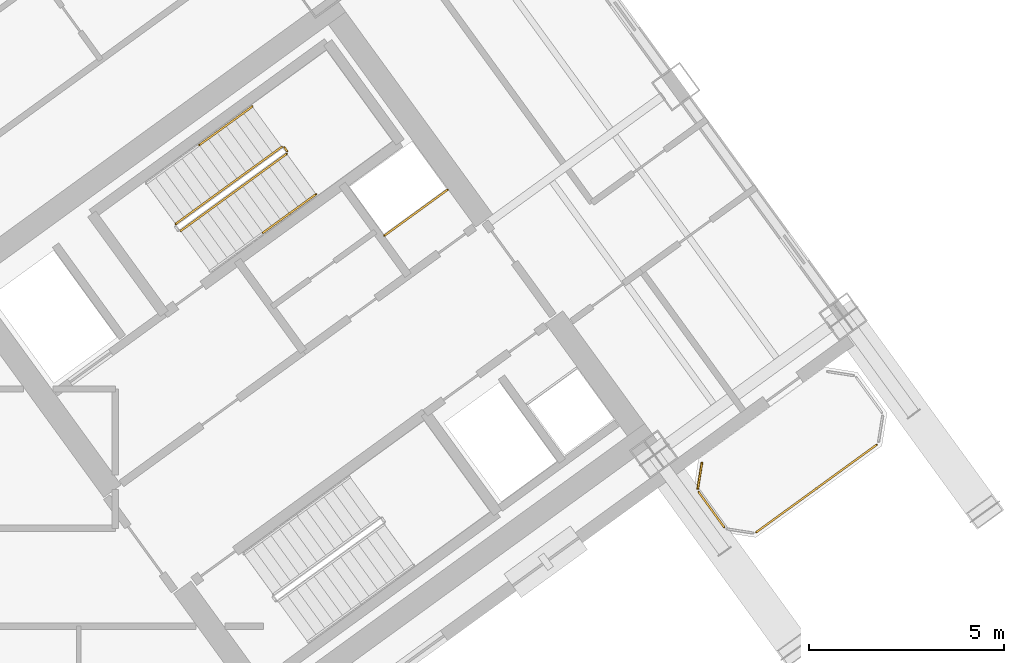
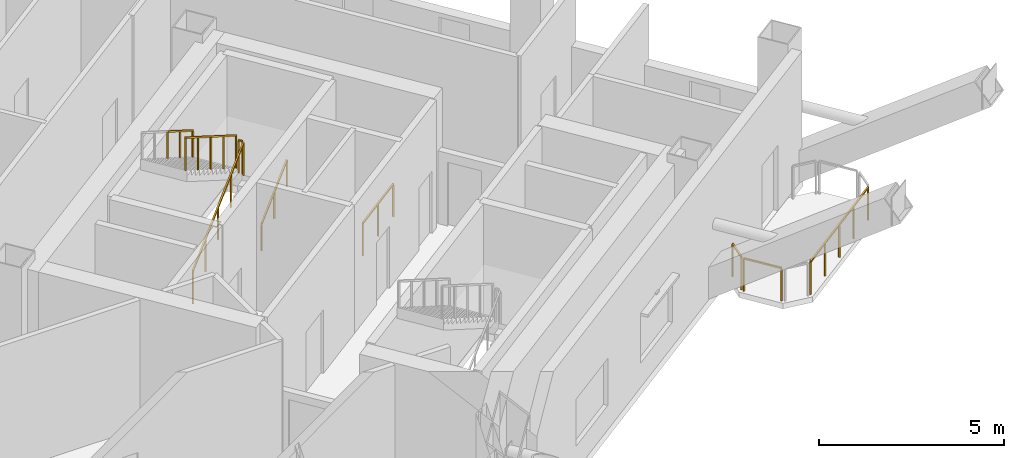
# One storey, part 31 of 32: 9 railings.
"""IFC4 building model written with IfcOpenShell, lengths in metres."""

import ifcopenshell
import ifcopenshell.guid

model = None  # the IFC model being written
_history = None  # IfcOwnerHistory: only IFC2X3 demands one
_inside = {}  # id of a spatial element -> (the spatial element, [elements in it])
_under = {}  # id of a project, library or spatial element -> (it, [spatial elements below it])
_declared = {}  # id of a project -> (the project, [libraries it declares])
_typed = {}  # id of a type object -> (the type object, [elements of that type])
_made_of = {}  # id of a material, layer set ... -> (it, [elements and type objects made of it])


def new_model(schema):
    """Start an empty IFC model of exactly this schema.

    Asked for "IFC4X3", IfcOpenShell would pick the latest addendum, in which some entities
    have other attributes; the version numbers below select the first issue.
    IFC2X3 requires an IfcOwnerHistory on every rooted entity: one is made here for all.
    """
    global model, _history
    if schema == "IFC4X3":
        model = ifcopenshell.file(schema_version=(4, 3, 0, 0))
    else:
        model = ifcopenshell.file(schema=schema)
    _inside.clear()
    _under.clear()
    _declared.clear()
    _typed.clear()
    _made_of.clear()
    _history = None
    if model.schema == "IFC2X3":
        org = make("IfcOrganization", Name="unknown")
        user = make(
            "IfcPersonAndOrganization",
            ThePerson=make("IfcPerson", FamilyName="unknown"),
            TheOrganization=org,
        )
        app = make(
            "IfcApplication",
            ApplicationDeveloper=org,
            Version="unknown",
            ApplicationFullName="unknown",
            ApplicationIdentifier="unknown",
        )
        _history = make(
            "IfcOwnerHistory",
            OwningUser=user,
            OwningApplication=app,
            ChangeAction="ADDED",
            CreationDate=0,
        )
    return model


def make(cls, **values):
    """One entity of the class cls with the attributes given. An attribute that is None is left unset."""
    return model.create_entity(
        cls, **{name: value for name, value in values.items() if value is not None}
    )


def rooted(cls, **values):
    """An entity with a GlobalId (a new one), such as an element, a storey or a relation."""
    return make(cls, GlobalId=ifcopenshell.guid.new(), OwnerHistory=_history, **values)


def si_unit(unit_type, name, prefix=None):
    """IfcSIUnit, for example si_unit("LENGTHUNIT", "METRE", prefix="MILLI")."""
    return make("IfcSIUnit", UnitType=unit_type, Prefix=prefix, Name=name)


def assignment(units):
    """IfcUnitAssignment: the units of a project."""
    return None if units is None else make("IfcUnitAssignment", Units=units)


def point(xyz):
    """IfcCartesianPoint."""
    return None if xyz is None else make("IfcCartesianPoint", Coordinates=xyz)


def direction(xyz):
    """IfcDirection."""
    return None if xyz is None else make("IfcDirection", DirectionRatios=xyz)


def frame(location, z_axis=None, x_axis=None):
    """IfcAxis2Placement3D, a coordinate frame: its origin and axes. An axis left out is left unset."""
    return make(
        "IfcAxis2Placement3D",
        Location=point(location),
        Axis=direction(z_axis),
        RefDirection=direction(x_axis),
    )


def frame_2d(location, x_axis=None):
    """IfcAxis2Placement2D, a coordinate frame in the plane: its origin and x axis."""
    return make(
        "IfcAxis2Placement2D", Location=point(location), RefDirection=direction(x_axis)
    )


def origin():
    """The frame at (0, 0, 0) with its axes left unset."""
    return frame((0.0, 0.0, 0.0))


def origin_2d():
    """The frame at (0, 0) in the plane with its x axis left unset."""
    return frame_2d((0.0, 0.0))


def place(relative_to, where):
    """IfcLocalPlacement: puts the frame where relative to a parent placement (None: the world)."""
    return make(
        "IfcLocalPlacement", PlacementRelTo=relative_to, RelativePlacement=where
    )


def context(
    kind, dimensions, precision=None, world=None, true_north=None, identifier=None
):
    """IfcGeometricRepresentationContext, for example the 3D "Model" context."""
    return make(
        "IfcGeometricRepresentationContext",
        ContextIdentifier=identifier,
        ContextType=kind,
        CoordinateSpaceDimension=dimensions,
        Precision=precision,
        WorldCoordinateSystem=world,
        TrueNorth=true_north,
    )


def subcontext(parent, identifier, kind, view, scale=None):
    """IfcGeometricRepresentationSubContext, for example "Body" below "Model"."""
    return make(
        "IfcGeometricRepresentationSubContext",
        ContextIdentifier=identifier,
        ContextType=kind,
        ParentContext=parent,
        TargetScale=scale,
        TargetView=view,
    )


def project(units=None, contexts=None):
    """IfcProject with its units and contexts."""
    return rooted(
        "IfcProject",
        Name="project",
        RepresentationContexts=contexts,
        UnitsInContext=assignment(units),
    )


def spatial(cls, under=None, at=None, **own):
    """A site, building, storey or space (cls), placed at a placement, below another one or the project."""
    s = rooted(cls, ObjectPlacement=at, **own)
    if under is not None:
        _under.setdefault(under.id(), (under, []))[1].append(s)
    return s


def profile(cls, at=None, kind="AREA", **sizes):
    """A parametric profile (cls). Its sizes go by their IFC names, for example OverallWidth=200.0."""
    return make(cls, ProfileType=kind, Position=at, **sizes)


def rectangle(**sizes):
    """IfcRectangleProfileDef."""
    return profile("IfcRectangleProfileDef", **sizes)


def extrude(swept, where, along, depth):
    """IfcExtrudedAreaSolid: the profile swept, set in the frame where, extruded along a direction by depth."""
    return make(
        "IfcExtrudedAreaSolid",
        SweptArea=swept,
        Position=where,
        ExtrudedDirection=direction(along),
        Depth=depth,
    )


def shape(context_of_items, identifier, shape_type, items):
    """IfcShapeRepresentation: the items that make up one representation, for example the "Body"."""
    return make(
        "IfcShapeRepresentation",
        ContextOfItems=context_of_items,
        RepresentationIdentifier=identifier,
        RepresentationType=shape_type,
        Items=items,
    )


def source(mapping_origin, context_of_items, identifier, shape_type, items):
    """IfcRepresentationMap: a shape defined once, which mapped items show again and again."""
    return make(
        "IfcRepresentationMap",
        MappingOrigin=mapping_origin,
        MappedRepresentation=shape(context_of_items, identifier, shape_type, items),
    )


def transform(
    local_origin,
    x_axis=None,
    y_axis=None,
    z_axis=None,
    scale=None,
    scale2=None,
    scale3=None,
    uniform=True,
):
    """IfcCartesianTransformationOperator3D, or its non-uniform kind. x_axis, y_axis, z_axis: its Axis1, 2, 3."""
    if uniform:
        return make(
            "IfcCartesianTransformationOperator3D",
            Axis1=direction(x_axis),
            Axis2=direction(y_axis),
            LocalOrigin=point(local_origin),
            Scale=scale,
            Axis3=direction(z_axis),
        )
    return make(
        "IfcCartesianTransformationOperator3DnonUniform",
        Axis1=direction(x_axis),
        Axis2=direction(y_axis),
        LocalOrigin=point(local_origin),
        Scale=scale,
        Axis3=direction(z_axis),
        Scale2=scale2,
        Scale3=scale3,
    )


def mapped(mapping_source, mapping_target):
    """IfcMappedItem: shows the shape of a source again, moved by a transform."""
    return make(
        "IfcMappedItem", MappingSource=mapping_source, MappingTarget=mapping_target
    )


def material(Name=None, Category=None):
    """IfcMaterial."""
    return make("IfcMaterial", Name=Name, Category=Category)


def made_of(thing, what):
    """Note that an element or type object is made of a material, layer set ...; save() writes the relation."""
    if what is not None:
        _made_of.setdefault(what.id(), (what, []))[1].append(thing)
    return thing


def type_object(cls, material=None, **own):
    """A type object (cls), such as IfcWallType, which elements share."""
    return made_of(rooted(cls, **own), material)


def element(
    cls,
    number,
    at=None,
    inside=None,
    cuts=None,
    type_object=None,
    material=None,
    context=None,
    identifier="Body",
    shape_type=None,
    held_by="IfcProductDefinitionShape",
    body=None,
    shapes=None,
    **own,
):
    """One element of the class cls, such as IfcWall. Its Tag is "e" and its number.

    at: its placement. inside: the storey or other place that contains it. cuts: it is an
    opening in that element (IfcRelVoidsElement). A single representation is given by context,
    identifier, shape_type and body (its items); several are given by shapes. held_by: the class
    of the entity that holds the representations. save() writes the other relations.
    """
    e = rooted(cls, Tag="e%d" % number, ObjectPlacement=at, **own)
    if body is not None:
        shapes = [shape(context, identifier, shape_type, body)]
    if shapes is not None:
        e.Representation = make(held_by, Representations=shapes)
    if inside is not None:
        _inside.setdefault(inside.id(), (inside, []))[1].append(e)
    if cuts is not None:
        rooted(
            "IfcRelVoidsElement", RelatingBuildingElement=cuts, RelatedOpeningElement=e
        )
    if type_object is not None:
        _typed.setdefault(type_object.id(), (type_object, []))[1].append(e)
    return made_of(e, material)


def aggregate(whole, parts):
    """IfcRelAggregates: a whole, such as a stair, and the parts it consists of."""
    return rooted("IfcRelAggregates", RelatingObject=whole, RelatedObjects=parts)


def save(model, path):
    """Write the relations noted so far, then the file.

    IfcRelAggregates (storeys below a building ...), IfcRelContainedInSpatialStructure (elements
    in a storey), IfcRelDefinesByType, IfcRelAssociatesMaterial and IfcRelDeclares: one each for
    every whole, place, type object, material and project.
    """
    for whole, parts in _under.values():
        aggregate(whole, parts)
    for where, things in _inside.values():
        rooted(
            "IfcRelContainedInSpatialStructure",
            RelatedElements=things,
            RelatingStructure=where,
        )
    for kind, things in _typed.values():
        rooted("IfcRelDefinesByType", RelatedObjects=things, RelatingType=kind)
    for what, things in _made_of.values():
        rooted("IfcRelAssociatesMaterial", RelatedObjects=things, RelatingMaterial=what)
    for by, libraries in _declared.values():
        rooted("IfcRelDeclares", RelatingContext=by, RelatedDefinitions=libraries)
    model.write(path)


model = new_model("IFC4")

# Units and contexts
model_context = context("Model", 3, precision=1e-05, world=origin(), true_north=direction((0.0, 1.0)))
body_context = subcontext(model_context, "Body", "Model", "MODEL_VIEW")
ifc_project = project(units=[si_unit("LENGTHUNIT", "METRE"), si_unit("AREAUNIT", "SQUARE_METRE"), si_unit("VOLUMEUNIT", "CUBIC_METRE"), si_unit("PLANEANGLEUNIT", "RADIAN"), si_unit("MASSUNIT", "GRAM", prefix="KILO")], contexts=[model_context])

# Site, building, storey
site_placement = place(None, origin())
site = spatial("IfcSite", under=ifc_project, at=site_placement, CompositionType="ELEMENT")
building_placement = place(site_placement, origin())
building = spatial("IfcBuilding", under=site, at=building_placement, Name="Tlacorven Tower", CompositionType="ELEMENT")
storey_placement = place(building_placement, frame((0.0, 0.0, 123.300048828125)))
storey = spatial("IfcBuildingStorey", under=building, at=storey_placement, Name="L31", CompositionType="ELEMENT", Elevation=123.300048828125)

# Railings
ifc_material = material(Name="Aluminium and painted steel balustrade", Category="steel")
railing_type_1 = type_object("IfcRailingType", Name="RL-GRD-1100", PredefinedType="GUARDRAIL", material=ifc_material)
shared_shape_1 = source(origin(), body_context, "Body", "SweptSolid", [
    extrude(rectangle(XDim=0.048095703125, YDim=0.048095703125, at=origin_2d()), frame((0.0, 0.0, 1.076171875), z_axis=(0.808947177504, 0.587881334972, 0.0), x_axis=(-0.587881334972, 0.808947177504, 0.0)), (0.0, 0.0, 1.0), 2.0),
    extrude(rectangle(XDim=0.0419921875, YDim=0.0419921875, at=origin_2d()), origin(), (0.0, 0.0, 1.0), 1.052001953125),
    extrude(rectangle(XDim=0.0419921875, YDim=0.0419921875, at=origin_2d()), frame((0.80908203125, 0.587890625, 0.0)), (0.0, 0.0, 1.0), 1.052001953125),
    extrude(rectangle(XDim=0.0419921875, YDim=0.0419921875, at=origin_2d()), frame((1.617919921875, 1.17578125, 0.0)), (0.0, 0.0, 1.0), 1.052001953125),
])
railing_1_placement = place(storey_placement, frame((55.506103515625, 25.438232421875, 0.0)))
element("IfcRailing", 1, at=railing_1_placement, inside=storey, type_object=railing_type_1, Name="L31 Electrical Riser E Shaft Guard 1", PredefinedType="GUARDRAIL", context=body_context, shape_type="MappedRepresentation", body=[
    mapped(shared_shape_1, transform((0.0, 0.0, 0.0), scale=1.0)),
])
railing_type_2 = type_object("IfcRailingType", Name="RL-BAL-1100", PredefinedType="BALUSTRADE", material=ifc_material)
shared_shape_2 = source(origin(), body_context, "Body", "SweptSolid", [
    extrude(rectangle(XDim=0.048095703125, YDim=0.048095703125, at=origin_2d()), frame((0.0, 0.0, 1.076171875), z_axis=(0.156602868908, 0.987661653326, 0.0), x_axis=(-0.987661653326, 0.156602868908, 0.0)), (0.0, 0.0, 1.0), 0.665771484375),
    extrude(rectangle(XDim=0.0419921875, YDim=0.0419921875, at=origin_2d()), origin(), (0.0, 0.0, 1.0), 1.052001953125),
    extrude(rectangle(XDim=0.0419921875, YDim=0.0419921875, at=origin_2d()), frame((0.104248046875, 0.657470703125, 0.0)), (0.0, 0.0, 1.0), 1.052001953125),
])
railing_2_placement = place(storey_placement, frame((63.539306640625, 18.949951171875, 0.0)))
element("IfcRailing", 2, at=railing_2_placement, inside=storey, type_object=railing_type_2, Name="BAL-L31-E-OUT Guard Railing 3", PredefinedType="BALUSTRADE", context=body_context, shape_type="MappedRepresentation", body=[
    mapped(shared_shape_2, transform((0.0, 0.0, 0.0), scale=1.0)),
])
shared_shape_3 = source(origin(), body_context, "Body", "SweptSolid", [
    extrude(rectangle(XDim=0.048095703125, YDim=0.048095703125, at=origin_2d()), frame((0.0, 0.0, 1.076171875), z_axis=(-0.809018102573, -0.587783726986, 0.0), x_axis=(0.587783726986, -0.809018102573, 0.0)), (0.0, 0.0, 1.0), 3.817138671875),
    extrude(rectangle(XDim=0.0419921875, YDim=0.0419921875, at=origin_2d()), origin(), (0.0, 0.0, 1.0), 1.052001953125),
    extrude(rectangle(XDim=0.0419921875, YDim=0.0419921875, at=origin_2d()), frame((-0.77197265625, -0.56103515625, 0.0)), (0.0, 0.0, 1.0), 1.052001953125),
    extrude(rectangle(XDim=0.0419921875, YDim=0.0419921875, at=origin_2d()), frame((-1.5439453125, -1.121826171875, 0.0)), (0.0, 0.0, 1.0), 1.052001953125),
    extrude(rectangle(XDim=0.0419921875, YDim=0.0419921875, at=origin_2d()), frame((-2.316162109375, -1.6826171875, 0.0)), (0.0, 0.0, 1.0), 1.052001953125),
    extrude(rectangle(XDim=0.0419921875, YDim=0.0419921875, at=origin_2d()), frame((-3.088134765625, -2.24365234375, 0.0)), (0.0, 0.0, 1.0), 1.052001953125),
])
railing_3_placement = place(storey_placement, frame((68.12890625, 20.0732421875, 0.0)))
element("IfcRailing", 3, at=railing_3_placement, inside=storey, type_object=railing_type_2, Name="BAL-L31-E-OUT Guard Railing 7", PredefinedType="BALUSTRADE", context=body_context, shape_type="MappedRepresentation", body=[
    mapped(shared_shape_3, transform((0.0, 0.0, 0.0), scale=1.0)),
])
shared_shape_4 = source(origin(), body_context, "Body", "SweptSolid", [
    extrude(rectangle(XDim=0.048095703125, YDim=0.048095703125, at=origin_2d()), frame((0.0, 0.0, 1.076171875), z_axis=(-0.587740817519, 0.809049276263, 0.0), x_axis=(-0.809049276263, -0.587740817519, 0.0)), (0.0, 0.0, 1.0), 1.112060546875),
    extrude(rectangle(XDim=0.0419921875, YDim=0.0419921875, at=origin_2d()), origin(), (0.0, 0.0, 1.0), 1.052001953125),
    extrude(rectangle(XDim=0.0419921875, YDim=0.0419921875, at=origin_2d()), frame((-0.653564453125, 0.899658203125, 0.0)), (0.0, 0.0, 1.0), 1.052001953125),
])
railing_4_placement = place(storey_placement, frame((64.214599609375, 17.96044921875, 0.0)))
element("IfcRailing", 4, at=railing_4_placement, inside=storey, type_object=railing_type_2, Name="BAL-L31-E-OUT Guard Railing 2", PredefinedType="BALUSTRADE", context=body_context, shape_type="MappedRepresentation", body=[
    mapped(shared_shape_4, transform((0.0, 0.0, 0.0), scale=1.0)),
])
shared_shape_5 = source(origin(), body_context, "Body", "SweptSolid", [
    extrude(rectangle(XDim=0.048095703125, YDim=0.048095703125, at=origin_2d()), frame((0.0, 0.0, 1.076171875), z_axis=(-0.587567097037, 0.809175448515, 0.0), x_axis=(-0.809175448515, -0.587567097037, 0.0)), (0.0, 0.0, 1.0), 0.1201171875),
    extrude(rectangle(XDim=0.0419921875, YDim=0.0419921875, at=origin_2d()), origin(), (0.0, 0.0, 1.0), 1.052001953125),
    extrude(rectangle(XDim=0.0419921875, YDim=0.0419921875, at=origin_2d()), frame((-0.070556640625, 0.09716796875, 0.0)), (0.0, 0.0, 1.0), 1.052001953125),
])
railing_5_placement = place(storey_placement, frame((53.006591796875, 27.6025390625, 2.25)))
element("IfcRailing", 5, at=railing_5_placement, inside=storey, type_object=railing_type_1, Name="L31 ST-E1 stair guard 2", PredefinedType="GUARDRAIL", context=body_context, shape_type="MappedRepresentation", body=[
    mapped(shared_shape_5, transform((0.0, 0.0, 0.0), scale=1.0)),
])
shared_shape_6 = source(origin(), body_context, "Body", "SweptSolid", [
    extrude(rectangle(XDim=0.048095703125, YDim=0.048095703125, at=origin_2d()), frame((0.0, 0.0, 1.076171875), z_axis=(0.688166980386, 0.499962520599, 0.525798141023), x_axis=(-0.587769819143, 0.809028206989, 0.0)), (0.0, 0.0, 1.0), 3.949951171875),
    extrude(rectangle(XDim=0.0419921875, YDim=0.0419921875, at=origin_2d()), origin(), (0.0, 0.0, 1.0), 1.052001953125),
    extrude(rectangle(XDim=0.0419921875, YDim=0.0419921875, at=origin_2d()), frame((0.6796875, 0.49365234375, 0.519287109375)), (0.0, 0.0, 1.0), 1.052001953125),
    extrude(rectangle(XDim=0.0419921875, YDim=0.0419921875, at=origin_2d()), frame((1.359130859375, 0.9873046875, 1.03857421875)), (0.0, 0.0, 1.0), 1.052001953125),
    extrude(rectangle(XDim=0.0419921875, YDim=0.0419921875, at=origin_2d()), frame((2.03857421875, 1.481201171875, 1.5576171875)), (0.0, 0.0, 1.0), 1.052001953125),
    extrude(rectangle(XDim=0.0419921875, YDim=0.0419921875, at=origin_2d()), frame((2.71826171875, 1.974853515625, 2.076904296875)), (0.0, 0.0, 1.0), 1.052001953125),
])
railing_6_placement = place(storey_placement, frame((50.27734375, 25.557861328125, 0.173095703125)))
element("IfcRailing", 6, at=railing_6_placement, inside=storey, type_object=railing_type_1, Name="L31 ST-E1 stair guard 1", PredefinedType="GUARDRAIL", context=body_context, shape_type="MappedRepresentation", body=[
    mapped(shared_shape_6, transform((0.0, 0.0, 0.0), scale=1.0)),
])
shared_shape_7 = source(origin(), body_context, "Body", "SweptSolid", [
    extrude(rectangle(XDim=0.048095703125, YDim=0.048095703125, at=origin_2d()), frame((0.0, 0.0, 1.076171875), z_axis=(-0.688166980386, -0.499962520599, 0.525798141023), x_axis=(0.587769819143, -0.809028206989, 0.0)), (0.0, 0.0, 1.0), 3.949951171875),
    extrude(rectangle(XDim=0.0419921875, YDim=0.0419921875, at=origin_2d()), origin(), (0.0, 0.0, 1.0), 1.052001953125),
    extrude(rectangle(XDim=0.0419921875, YDim=0.0419921875, at=origin_2d()), frame((-0.6796875, -0.49365234375, 0.519287109375)), (0.0, 0.0, 1.0), 1.052001953125),
    extrude(rectangle(XDim=0.0419921875, YDim=0.0419921875, at=origin_2d()), frame((-1.359130859375, -0.9873046875, 1.03857421875)), (0.0, 0.0, 1.0), 1.052001953125),
    extrude(rectangle(XDim=0.0419921875, YDim=0.0419921875, at=origin_2d()), frame((-2.03857421875, -1.481201171875, 1.5576171875)), (0.0, 0.0, 1.0), 1.052001953125),
    extrude(rectangle(XDim=0.0419921875, YDim=0.0419921875, at=origin_2d()), frame((-2.71826171875, -1.974853515625, 2.076904296875)), (0.0, 0.0, 1.0), 1.052001953125),
])
railing_7_placement = place(storey_placement, frame((52.8662109375, 27.710693359375, 2.423095703125)))
element("IfcRailing", 7, at=railing_7_placement, inside=storey, type_object=railing_type_1, Name="L31 ST-E1 stair guard 3", PredefinedType="GUARDRAIL", context=body_context, shape_type="MappedRepresentation", body=[
    mapped(shared_shape_7, transform((0.0, 0.0, 0.0), scale=1.0)),
])
railing_type_3 = type_object("IfcRailingType", Name="RL-HND-0900", PredefinedType="HANDRAIL", material=ifc_material)
shared_shape_8 = source(origin(), body_context, "Body", "SweptSolid", [
    extrude(rectangle(XDim=0.048095703125, YDim=0.048095703125, at=origin_2d()), frame((0.0, 0.0, 0.8759765625), z_axis=(-0.688168076653, -0.500025124854, 0.525737170829), x_axis=(0.587817375869, -0.808993654256, 0.0)), (0.0, 0.0, 1.0), 1.97509765625),
    extrude(rectangle(XDim=0.0419921875, YDim=0.0419921875, at=origin_2d()), origin(), (0.0, 0.0, 1.0), 0.851806640625),
    extrude(rectangle(XDim=0.0419921875, YDim=0.0419921875, at=origin_2d()), frame((-0.6796875, -0.49365234375, 0.51904296875)), (0.0, 0.0, 1.0), 0.851806640625),
    extrude(rectangle(XDim=0.0419921875, YDim=0.0419921875, at=origin_2d()), frame((-1.359130859375, -0.987548828125, 1.038330078125)), (0.0, 0.0, 1.0), 0.851806640625),
])
railing_8_placement = place(storey_placement, frame((52.11376953125, 28.746337890625, 2.423095703125)))
element("IfcRailing", 8, at=railing_8_placement, inside=storey, type_object=railing_type_3, Name="L31 ST-E1 stair handrail 3", PredefinedType="HANDRAIL", context=body_context, shape_type="MappedRepresentation", body=[
    mapped(shared_shape_8, transform((0.0, 0.0, 0.0), scale=1.0)),
])
shared_shape_9 = source(origin(), body_context, "Body", "SweptSolid", [
    extrude(rectangle(XDim=0.048095703125, YDim=0.048095703125, at=origin_2d()), frame((0.0, 0.0, 0.8759765625), z_axis=(0.688165878867, 0.499899912725, 0.525859107006), x_axis=(-0.587722256323, 0.809062759879, 0.0)), (0.0, 0.0, 1.0), 1.97509765625),
    extrude(rectangle(XDim=0.0419921875, YDim=0.0419921875, at=origin_2d()), origin(), (0.0, 0.0, 1.0), 0.851806640625),
    extrude(rectangle(XDim=0.0419921875, YDim=0.0419921875, at=origin_2d()), frame((0.6796875, 0.49365234375, 0.519287109375)), (0.0, 0.0, 1.0), 0.851806640625),
    extrude(rectangle(XDim=0.0419921875, YDim=0.0419921875, at=origin_2d()), frame((1.359130859375, 0.9873046875, 1.03857421875)), (0.0, 0.0, 1.0), 0.851806640625),
])
railing_9_placement = place(storey_placement, frame((52.388671875, 25.509765625, 1.21142578125)))
element("IfcRailing", 9, at=railing_9_placement, inside=storey, type_object=railing_type_3, Name="L31 ST-E1 stair handrail 2", PredefinedType="HANDRAIL", context=body_context, shape_type="MappedRepresentation", body=[
    mapped(shared_shape_9, transform((0.0, 0.0, 0.0), scale=1.0)),
])

save(model, "model.ifc")
